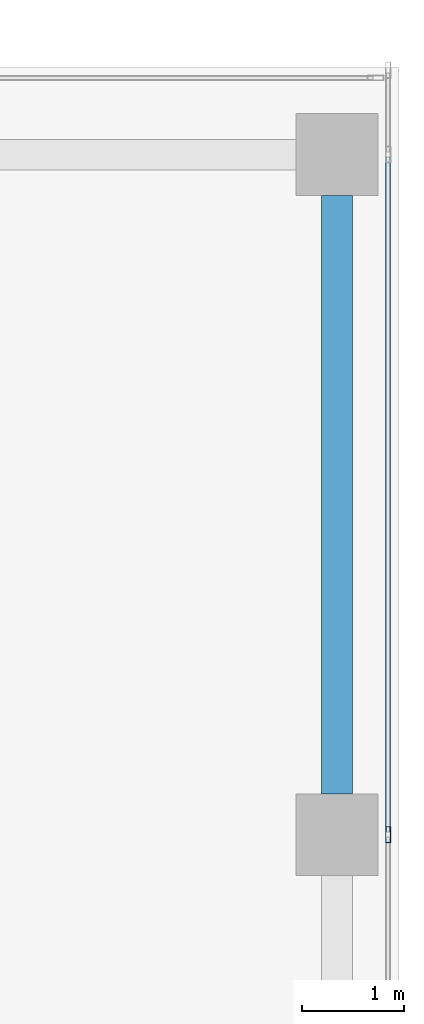
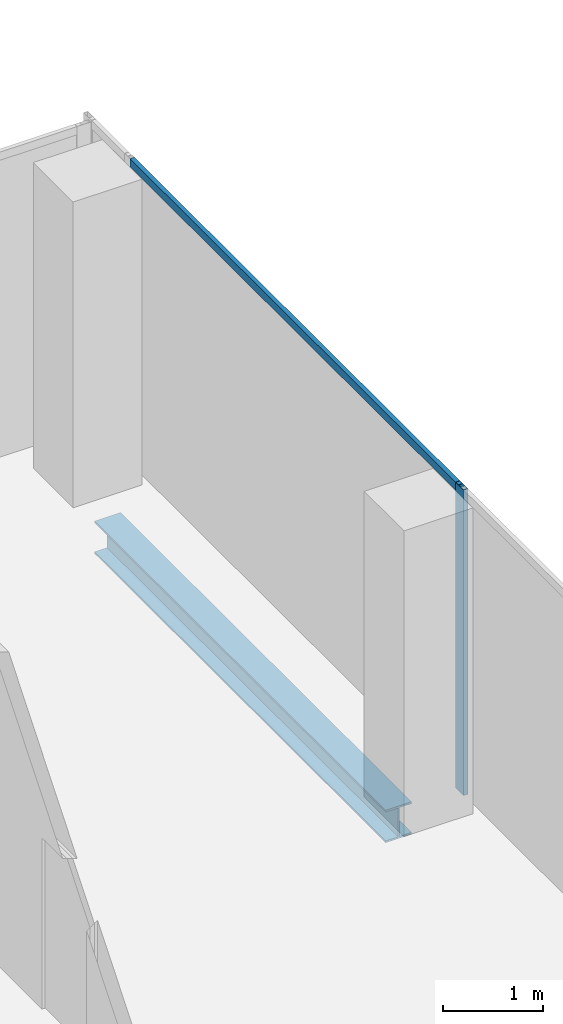
# One storey, part 13 of 29: 2 members, 1 beam, 1 element without a shape of its own.
"""IFC4 building model written with IfcOpenShell, lengths in metres."""

from ifc_helpers import new_model, si_unit, direction, frame, origin, origin_2d, place, context, subcontext, project, spatial, hollow_rectangle, i_section, extrude, source, transform, mapped, material, material_profile, profile_set, type_object, element, aggregate, save


model = new_model("IFC4")

# Units and contexts
model_context = context("Model", 3, precision=1e-05, world=origin(), true_north=direction((0.0, 1.0)))
body_context = subcontext(model_context, "Body", "Model", "MODEL_VIEW")
ifc_project = project(units=[si_unit("LENGTHUNIT", "METRE"), si_unit("AREAUNIT", "SQUARE_METRE"), si_unit("VOLUMEUNIT", "CUBIC_METRE"), si_unit("PLANEANGLEUNIT", "RADIAN"), si_unit("MASSUNIT", "GRAM", prefix="KILO")], contexts=[model_context])

# Site, building, storey
site_placement = place(None, origin())
site = spatial("IfcSite", under=ifc_project, at=site_placement, CompositionType="ELEMENT")
building_placement = place(site_placement, origin())
building = spatial("IfcBuilding", under=site, at=building_placement, Name="Khomas Fold Tower", CompositionType="ELEMENT")
storey_placement = place(building_placement, frame((0.0, 0.0, 322.199951171875)))
storey = spatial("IfcBuildingStorey", under=building, at=storey_placement, Name="L73", CompositionType="ELEMENT", Elevation=322.199951171875)

# Beam
ifc_material_1 = material(Name="Steel S355", Category="steel")
ifc_material_profile_1 = material_profile(ifc_material_1, i_section(OverallWidth=0.300048828125, OverallDepth=0.39990234375, WebThickness=0.013427734375, FlangeThickness=0.02392578125, at=origin_2d()), Name="HE 400 B")
ifc_profile_set_1 = profile_set([ifc_material_profile_1], Name="Steel S355")
beam_type = type_object("IfcBeamType", Name="HE 400 B spandrel SB5", PredefinedType="SPANDREL", material=ifc_profile_set_1)
shared_shape_1 = source(origin(), body_context, "Body", "SweptSolid", [
    extrude(i_section(OverallWidth=0.300048828125, OverallDepth=0.39990234375, WebThickness=0.013427734375, FlangeThickness=0.02392578125, at=origin_2d()), origin(), (0.0, 0.0, 1.0), 5.85009765625),
])
beam_placement = place(storey_placement, frame((47.39990234375, 34.89990234375, -0.449951171875), z_axis=(0.0, 1.0, 0.0), x_axis=(-1.0, 0.0, 0.0)))
element("IfcBeam", 1, at=beam_placement, inside=storey, type_object=beam_type, Name="SB5", PredefinedType="SPANDREL", context=body_context, shape_type="MappedRepresentation", body=[
    mapped(shared_shape_1, transform((0.0, 0.0, 0.0))),
])

# Curtain wall, members
ifc_material_2 = material(Name="Aluminium framed double glazing", Category="aluminium")
curtain_wall_type = type_object("IfcCurtainWallType", Name="SK-Unitised clear-glass wall, upper floors CW3", PredefinedType="NOTDEFINED", material=ifc_material_2)
curtain_wall_placement = place(storey_placement, origin())
curtain_wall = element("IfcCurtainWall", 2, at=curtain_wall_placement, inside=storey, type_object=curtain_wall_type, Name="CW3 run L73 03-1", PredefinedType="NOTDEFINED")
ifc_material_3 = material(Name="Aluminium", Category="aluminium")
ifc_material_profile_2 = material_profile(ifc_material_3, hollow_rectangle(XDim=0.050048828125, YDim=0.159912109375, WallThickness=0.00390625, at=origin_2d()), Name="SK-Unitised clear-glass wall, upper floors mullion CW3-M")
ifc_profile_set_2 = profile_set([ifc_material_profile_2], Name="Aluminium")
member_type_1 = type_object("IfcMemberType", Name="SK-Unitised clear-glass wall, upper floors mullion CW3-M", PredefinedType="MULLION", material=ifc_profile_set_2)
shared_shape_2 = source(origin(), body_context, "Body", "SweptSolid", [
    extrude(hollow_rectangle(XDim=0.050048828125, YDim=0.159912109375, WallThickness=0.00390625, at=origin_2d()), origin(), (0.0, 0.0, 1.0), 3.75),
])
member_1_placement = place(storey_placement, frame((47.89990234375, 34.5, 0.0), z_axis=(0.0, 0.0, 1.0), x_axis=(-1.0, 0.0, 0.0)))
member_1 = element("IfcMember", 3, at=member_1_placement, type_object=member_type_1, Name="CW3 mullion 3", PredefinedType="MULLION", context=body_context, shape_type="MappedRepresentation", body=[
    mapped(shared_shape_2, transform((0.0, 0.0, 0.0))),
])
ifc_material_4 = material(Name="Aluminium", Category="aluminium")
ifc_material_profile_3 = material_profile(ifc_material_4, hollow_rectangle(XDim=0.050048828125, YDim=0.10009765625, WallThickness=0.00390625, at=origin_2d()), Name="SK-Unitised clear-glass wall, upper floors transom CW3-T")
ifc_profile_set_3 = profile_set([ifc_material_profile_3], Name="Aluminium")
member_type_2 = type_object("IfcMemberType", Name="SK-Unitised clear-glass wall, upper floors transom CW3-T", PredefinedType="USERDEFINED", material=ifc_profile_set_3)
shared_shape_3 = source(origin(), body_context, "Body", "SweptSolid", [
    extrude(hollow_rectangle(XDim=0.050048828125, YDim=0.10009765625, WallThickness=0.00390625, at=origin_2d()), origin(), (0.0, 0.0, 1.0), 6.60009765625),
])
member_2_placement = place(storey_placement, frame((47.89990234375, 34.52490234375, 3.699951171875), z_axis=(0.0, 1.0, 0.0), x_axis=(-1.0, 0.0, 0.0)))
member_2 = element("IfcMember", 4, at=member_2_placement, type_object=member_type_2, Name="CW3 transom 3", ObjectType="TRANSOM", PredefinedType="USERDEFINED", context=body_context, shape_type="MappedRepresentation", body=[
    mapped(shared_shape_3, transform((0.0, 0.0, 0.0))),
])
aggregate(curtain_wall, [member_1, member_2])

save(model, "model.ifc")
